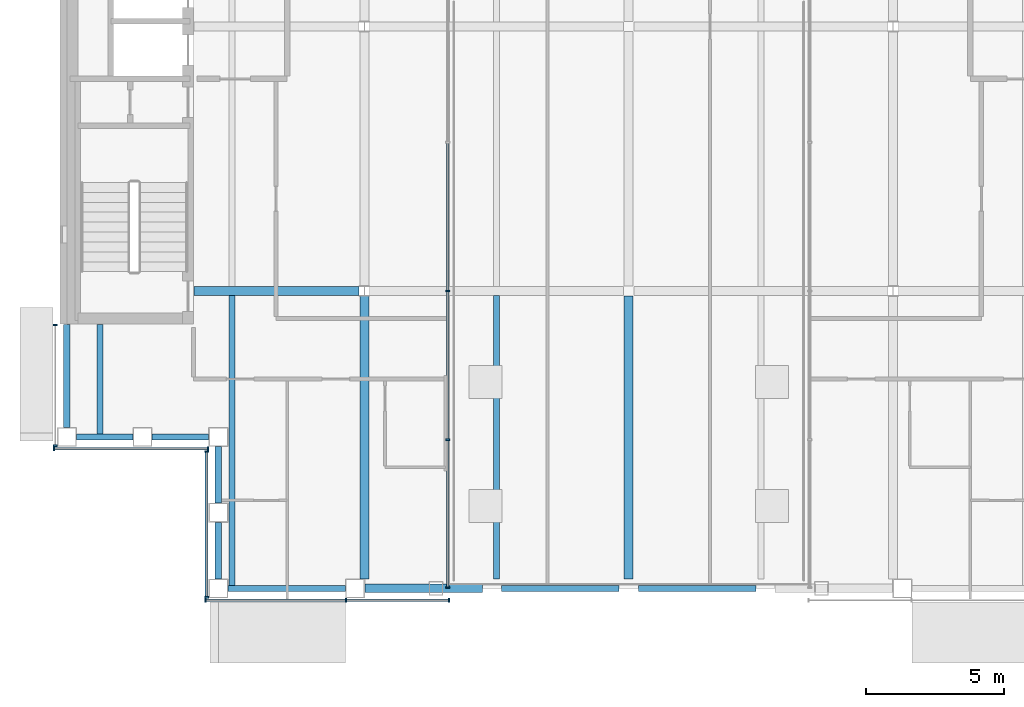
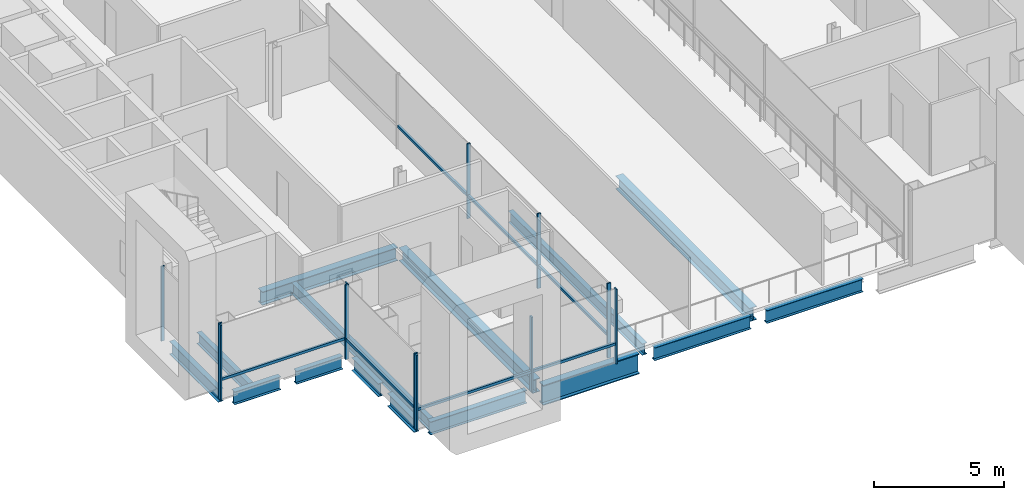
# One storey, part 3 of 17: 19 members, 15 beams, 5 elements without a shape of their own.
"""IFC4 building model written with IfcOpenShell, lengths in metres."""

from ifc_helpers import new_model, si_unit, direction, frame, origin, origin_2d, place, context, subcontext, project, spatial, rectangle, i_section, extrude, material, material_profile, profile_set, type_object, element, aggregate, save


model = new_model("IFC4")

# Units and contexts
model_context = context("Model", 3, precision=1e-05, world=origin(), true_north=direction((0.0, 1.0)))
body_context = subcontext(model_context, "Body", "Model", "MODEL_VIEW")
ifc_project = project(units=[si_unit("LENGTHUNIT", "METRE"), si_unit("AREAUNIT", "SQUARE_METRE"), si_unit("VOLUMEUNIT", "CUBIC_METRE"), si_unit("PLANEANGLEUNIT", "RADIAN"), si_unit("MASSUNIT", "GRAM", prefix="KILO")], contexts=[model_context])

# Site, building, storey
site_placement = place(None, origin())
site = spatial("IfcSite", under=ifc_project, at=site_placement, CompositionType="ELEMENT")
building_placement = place(site_placement, origin())
building = spatial("IfcBuilding", under=site, at=building_placement, Name="Cobrizo Arcos Hotel Tower", CompositionType="ELEMENT")
storey_placement = place(building_placement, frame((0.0, 0.0, 219.0)))
storey = spatial("IfcBuildingStorey", under=building, at=storey_placement, Name="L57", CompositionType="ELEMENT", Elevation=219.0)

# Curtain wall, members
ifc_material_1 = material(Name="Aluminium 6063-T6 anodised bronze", Category="aluminium")
curtain_wall_type_1 = type_object("IfcCurtainWallType", Name="CW-A guest facade", PredefinedType="NOTDEFINED", material=ifc_material_1)
curtain_wall_1_placement = place(storey_placement, origin())
curtain_wall_1 = element("IfcCurtainWall", 1, at=curtain_wall_1_placement, inside=storey, type_object=curtain_wall_type_1, Name="CW-A L57 S face", PredefinedType="NOTDEFINED")
ifc_material_profile_1 = material_profile(ifc_material_1, rectangle(XDim=0.14990234375, YDim=0.06005859375, at=origin_2d()), Name="CW-A mullion 150x60")
ifc_profile_set_1 = profile_set([ifc_material_profile_1], Name="Aluminium 6063-T6 anodised bronze")
member_type_1 = type_object("IfcMemberType", Name="CW-A mullion 150x60", PredefinedType="MULLION", material=ifc_profile_set_1)
member_1_placement = place(storey_placement, frame((-15.3701171875, -20.824951171875, 0.0), z_axis=(0.0, 0.0, 1.0), x_axis=(0.0, -1.0, 0.0)))
member_1 = element("IfcMember", 2, at=member_1_placement, type_object=member_type_1, Name="CW-A mullion 1", PredefinedType="MULLION", context=body_context, shape_type="SweptSolid", body=[
    extrude(rectangle(XDim=0.14990234375, YDim=0.06005859375, at=origin_2d()), origin(), (0.0, 0.0, 1.0), 3.5),
])
member_2_placement = place(storey_placement, frame((-10.2666015625, -20.824951171875, 0.0), z_axis=(0.0, 0.0, 1.0), x_axis=(0.0, -1.0, 0.0)))
member_2 = element("IfcMember", 3, at=member_2_placement, type_object=member_type_1, Name="CW-A mullion 2", PredefinedType="MULLION", context=body_context, shape_type="SweptSolid", body=[
    extrude(rectangle(XDim=0.14990234375, YDim=0.06005859375, at=origin_2d()), origin(), (0.0, 0.0, 1.0), 3.5),
])
member_3_placement = place(storey_placement, frame((-6.530029296875, -20.824951171875, 0.0), z_axis=(0.0, 0.0, 1.0), x_axis=(0.0, -1.0, 0.0)))
member_3 = element("IfcMember", 4, at=member_3_placement, type_object=member_type_1, Name="CW-A mullion 3", PredefinedType="MULLION", context=body_context, shape_type="SweptSolid", body=[
    extrude(rectangle(XDim=0.14990234375, YDim=0.06005859375, at=origin_2d()), origin(), (0.0, 0.0, 1.0), 3.5),
])

curtain_wall_2_placement = place(storey_placement, origin())
curtain_wall_2 = element("IfcCurtainWall", 5, at=curtain_wall_2_placement, inside=storey, type_object=curtain_wall_type_1, Name="CW-A L57 W face", PredefinedType="NOTDEFINED")
member_4_placement = place(storey_placement, frame((-20.824951171875, -10.830078125, 0.0), z_axis=(0.0, 0.0, 1.0), x_axis=(-1.0, 0.0, 0.0)))
member_4 = element("IfcMember", 6, at=member_4_placement, type_object=member_type_1, Name="CW-A mullion 1", PredefinedType="MULLION", context=body_context, shape_type="SweptSolid", body=[
    extrude(rectangle(XDim=0.14990234375, YDim=0.06005859375, at=origin_2d()), origin(), (0.0, 0.0, 1.0), 3.5),
])
member_5_placement = place(storey_placement, frame((-20.824951171875, -15.219970703125, 0.0), z_axis=(0.0, 0.0, 1.0), x_axis=(-1.0, 0.0, 0.0)))
member_5 = element("IfcMember", 7, at=member_5_placement, type_object=member_type_1, Name="CW-A mullion 2", PredefinedType="MULLION", context=body_context, shape_type="SweptSolid", body=[
    extrude(rectangle(XDim=0.14990234375, YDim=0.06005859375, at=origin_2d()), origin(), (0.0, 0.0, 1.0), 3.5),
])
aggregate(curtain_wall_2, [member_4, member_5])

curtain_wall_3_placement = place(storey_placement, origin())
curtain_wall_3 = element("IfcCurtainWall", 8, at=curtain_wall_3_placement, inside=storey, type_object=curtain_wall_type_1, Name="CW-A L57 S face", PredefinedType="NOTDEFINED")
member_6_placement = place(storey_placement, frame((-20.8701171875, -15.324951171875, 0.0), z_axis=(0.0, 0.0, 1.0), x_axis=(0.0, -1.0, 0.0)))
member_6 = element("IfcMember", 9, at=member_6_placement, type_object=member_type_1, Name="CW-A mullion 1", PredefinedType="MULLION", context=body_context, shape_type="SweptSolid", body=[
    extrude(rectangle(XDim=0.14990234375, YDim=0.06005859375, at=origin_2d()), origin(), (0.0, 0.0, 1.0), 3.5),
])
member_7_placement = place(storey_placement, frame((-15.280029296875, -15.324951171875, 0.0), z_axis=(0.0, 0.0, 1.0), x_axis=(0.0, -1.0, 0.0)))
member_7 = element("IfcMember", 10, at=member_7_placement, type_object=member_type_1, Name="CW-A mullion 2", PredefinedType="MULLION", context=body_context, shape_type="SweptSolid", body=[
    extrude(rectangle(XDim=0.14990234375, YDim=0.06005859375, at=origin_2d()), origin(), (0.0, 0.0, 1.0), 3.5),
])

curtain_wall_4_placement = place(storey_placement, origin())
curtain_wall_4 = element("IfcCurtainWall", 11, at=curtain_wall_4_placement, inside=storey, type_object=curtain_wall_type_1, Name="CW-A L57 W face", PredefinedType="NOTDEFINED")
member_8_placement = place(storey_placement, frame((-15.324951171875, -15.429931640625, 0.0), z_axis=(0.0, 0.0, 1.0), x_axis=(-1.0, 0.0, 0.0)))
member_8 = element("IfcMember", 12, at=member_8_placement, type_object=member_type_1, Name="CW-A mullion 1", PredefinedType="MULLION", context=body_context, shape_type="SweptSolid", body=[
    extrude(rectangle(XDim=0.14990234375, YDim=0.06005859375, at=origin_2d()), origin(), (0.0, 0.0, 1.0), 3.5),
])
member_9_placement = place(storey_placement, frame((-15.324951171875, -20.719970703125, 0.0), z_axis=(0.0, 0.0, 1.0), x_axis=(-1.0, 0.0, 0.0)))
member_9 = element("IfcMember", 13, at=member_9_placement, type_object=member_type_1, Name="CW-A mullion 2", PredefinedType="MULLION", context=body_context, shape_type="SweptSolid", body=[
    extrude(rectangle(XDim=0.14990234375, YDim=0.06005859375, at=origin_2d()), origin(), (0.0, 0.0, 1.0), 3.5),
])

# Member
ifc_material_profile_2 = material_profile(ifc_material_1, rectangle(XDim=0.10009765625, YDim=0.1201171875, at=origin_2d()), Name="CW-A transom 120x100")
ifc_profile_set_2 = profile_set([ifc_material_profile_2], Name="Aluminium 6063-T6 anodised bronze")
member_type_2 = type_object("IfcMemberType", Name="CW-A transom 120x100", PredefinedType="USERDEFINED", material=ifc_profile_set_2)
member_10_placement = place(storey_placement, frame((-15.340087890625, -20.824951171875, 0.929931640625), z_axis=(1.0, 0.0, 0.0), x_axis=(0.0, 1.0, 0.0)))
member_10 = element("IfcMember", 14, at=member_10_placement, type_object=member_type_2, Name="CW-A transom 1888", ObjectType="TRANSOM", PredefinedType="USERDEFINED", context=body_context, shape_type="SweptSolid", body=[
    extrude(rectangle(XDim=0.10009765625, YDim=0.1201171875, at=origin_2d()), origin(), (0.0, 0.0, 1.0), 5.04345703125),
])

member_11_placement = place(storey_placement, frame((-10.236572265625, -20.824951171875, 0.929931640625), z_axis=(1.0, 0.0, 0.0), x_axis=(0.0, 1.0, 0.0)))
member_11 = element("IfcMember", 15, at=member_11_placement, type_object=member_type_2, Name="CW-A transom 1889", ObjectType="TRANSOM", PredefinedType="USERDEFINED", context=body_context, shape_type="SweptSolid", body=[
    extrude(rectangle(XDim=0.10009765625, YDim=0.1201171875, at=origin_2d()), origin(), (0.0, 0.0, 1.0), 3.676513671875),
])

aggregate(curtain_wall_1, [member_1, member_2, member_3, member_10, member_11])

member_12_placement = place(storey_placement, frame((-20.840087890625, -15.324951171875, 0.929931640625), z_axis=(1.0, 0.0, 0.0), x_axis=(0.0, 1.0, 0.0)))
member_12 = element("IfcMember", 16, at=member_12_placement, type_object=member_type_2, Name="CW-A transom 1906", ObjectType="TRANSOM", PredefinedType="USERDEFINED", context=body_context, shape_type="SweptSolid", body=[
    extrude(rectangle(XDim=0.10009765625, YDim=0.1201171875, at=origin_2d()), origin(), (0.0, 0.0, 1.0), 5.530029296875),
])

aggregate(curtain_wall_3, [member_6, member_7, member_12])

member_13_placement = place(storey_placement, frame((-15.324951171875, -15.4599609375, 0.929931640625), z_axis=(0.0, -1.0, 0.0), x_axis=(1.0, 0.0, 0.0)))
member_13 = element("IfcMember", 17, at=member_13_placement, type_object=member_type_2, Name="CW-A transom 1907", ObjectType="TRANSOM", PredefinedType="USERDEFINED", context=body_context, shape_type="SweptSolid", body=[
    extrude(rectangle(XDim=0.10009765625, YDim=0.1201171875, at=origin_2d()), origin(), (0.0, 0.0, 1.0), 5.22998046875),
])

aggregate(curtain_wall_4, [member_8, member_9, member_13])

# Curtain wall, members
curtain_wall_type_2 = type_object("IfcCurtainWallType", Name="CW-F void screen", PredefinedType="NOTDEFINED", material=ifc_material_1)
curtain_wall_5_placement = place(storey_placement, origin())
curtain_wall_5 = element("IfcCurtainWall", 18, at=curtain_wall_5_placement, inside=storey, type_object=curtain_wall_type_2, Name="CW-F L57 void screen C", PredefinedType="NOTDEFINED")
ifc_material_profile_3 = material_profile(ifc_material_1, rectangle(XDim=0.14990234375, YDim=0.06005859375, at=origin_2d()), Name="CW-F mullion 150x60")
ifc_profile_set_3 = profile_set([ifc_material_profile_3], Name="Aluminium 6063-T6 anodised bronze")
member_type_3 = type_object("IfcMemberType", Name="CW-F mullion 150x60", PredefinedType="MULLION", material=ifc_profile_set_3)
member_14_placement = place(storey_placement, frame((-6.574951171875, -9.60009765625, 0.0), z_axis=(0.0, 0.0, 1.0), x_axis=(-1.0, 0.0, 0.0)))
member_14 = element("IfcMember", 19, at=member_14_placement, type_object=member_type_3, Name="CW-F mullion 3", PredefinedType="MULLION", context=body_context, shape_type="SweptSolid", body=[
    extrude(rectangle(XDim=0.14990234375, YDim=0.06005859375, at=origin_2d()), origin(), (0.0, 0.0, 1.0), 3.5),
])
member_15_placement = place(storey_placement, frame((-6.574951171875, -15.0, 0.0), z_axis=(0.0, 0.0, 1.0), x_axis=(-1.0, 0.0, 0.0)))
member_15 = element("IfcMember", 20, at=member_15_placement, type_object=member_type_3, Name="CW-F mullion 4", PredefinedType="MULLION", context=body_context, shape_type="SweptSolid", body=[
    extrude(rectangle(XDim=0.14990234375, YDim=0.06005859375, at=origin_2d()), origin(), (0.0, 0.0, 1.0), 3.5),
])
member_16_placement = place(storey_placement, frame((-6.574951171875, -20.3701171875, 0.0), z_axis=(0.0, 0.0, 1.0), x_axis=(-1.0, 0.0, 0.0)))
member_16 = element("IfcMember", 21, at=member_16_placement, type_object=member_type_3, Name="CW-F mullion 5", PredefinedType="MULLION", context=body_context, shape_type="SweptSolid", body=[
    extrude(rectangle(XDim=0.14990234375, YDim=0.06005859375, at=origin_2d()), origin(), (0.0, 0.0, 1.0), 3.5),
])
ifc_material_profile_4 = material_profile(ifc_material_1, rectangle(XDim=0.10009765625, YDim=0.1201171875, at=origin_2d()), Name="CW-F transom 120x100")
ifc_profile_set_4 = profile_set([ifc_material_profile_4], Name="Aluminium 6063-T6 anodised bronze")
member_type_4 = type_object("IfcMemberType", Name="CW-F transom 120x100", PredefinedType="USERDEFINED", material=ifc_profile_set_4)
member_17_placement = place(storey_placement, frame((-6.574951171875, -4.22998046875, 1.050048828125), z_axis=(0.0, -1.0, 0.0), x_axis=(1.0, 0.0, 0.0)))
member_17 = element("IfcMember", 22, at=member_17_placement, type_object=member_type_4, Name="CW-F transom 2697", ObjectType="TRANSOM", PredefinedType="USERDEFINED", context=body_context, shape_type="SweptSolid", body=[
    extrude(rectangle(XDim=0.10009765625, YDim=0.1201171875, at=origin_2d()), origin(), (0.0, 0.0, 1.0), 5.340087890625),
])
member_18_placement = place(storey_placement, frame((-6.574951171875, -9.6298828125, 1.050048828125), z_axis=(0.0, -1.0, 0.0), x_axis=(1.0, 0.0, 0.0)))
member_18 = element("IfcMember", 23, at=member_18_placement, type_object=member_type_4, Name="CW-F transom 2698", ObjectType="TRANSOM", PredefinedType="USERDEFINED", context=body_context, shape_type="SweptSolid", body=[
    extrude(rectangle(XDim=0.10009765625, YDim=0.1201171875, at=origin_2d()), origin(), (0.0, 0.0, 1.0), 5.340087890625),
])
member_19_placement = place(storey_placement, frame((-6.574951171875, -15.030029296875, 1.050048828125), z_axis=(0.0, -1.0, 0.0), x_axis=(1.0, 0.0, 0.0)))
member_19 = element("IfcMember", 24, at=member_19_placement, type_object=member_type_4, Name="CW-F transom 2699", ObjectType="TRANSOM", PredefinedType="USERDEFINED", context=body_context, shape_type="SweptSolid", body=[
    extrude(rectangle(XDim=0.10009765625, YDim=0.1201171875, at=origin_2d()), origin(), (0.0, 0.0, 1.0), 5.31005859375),
])
aggregate(curtain_wall_5, [member_14, member_15, member_16, member_17, member_18, member_19])

# Beams
ifc_material_2 = material(Name="Steel ASTM A992 Grade 50", Category="steel")
ifc_material_profile_5 = material_profile(ifc_material_2, i_section(OverallWidth=0.209228515625, OverallDepth=0.533447265625, WebThickness=0.01025390625, FlangeThickness=0.015625, at=origin_2d()), Name="W21X62")
ifc_profile_set_5 = profile_set([ifc_material_profile_5], Name="Steel ASTM A992 Grade 50")
beam_type_1 = type_object("IfcBeamType", Name="W21X62 joist", PredefinedType="JOIST", material=ifc_profile_set_5)
beam_1_placement = place(storey_placement, frame((-19.199951171875, -14.81005859375, -0.416748046875), z_axis=(0.0, 1.0, 0.0), x_axis=(-1.0, 0.0, 0.0)))
element("IfcBeam", 25, at=beam_1_placement, inside=storey, type_object=beam_type_1, Name="Floor joist J1, L57, no. 001", PredefinedType="JOIST", context=body_context, shape_type="SweptSolid", body=[
    extrude(i_section(OverallWidth=0.209228515625, OverallDepth=0.533447265625, WebThickness=0.01025390625, FlangeThickness=0.015625, at=origin_2d()), origin(), (0.0, 0.0, 1.0), 4.0),
])
beam_2_placement = place(storey_placement, frame((-14.39990234375, -20.31005859375, -0.416748046875), z_axis=(0.0, 1.0, 0.0), x_axis=(-1.0, 0.0, 0.0)))
element("IfcBeam", 26, at=beam_2_placement, inside=storey, type_object=beam_type_1, Name="Floor joist J1, L57, no. 003", PredefinedType="JOIST", context=body_context, shape_type="SweptSolid", body=[
    extrude(i_section(OverallWidth=0.209228515625, OverallDepth=0.533447265625, WebThickness=0.01025390625, FlangeThickness=0.015625, at=origin_2d()), origin(), (0.0, 0.0, 1.0), 10.546142578125),
])
beam_3_placement = place(storey_placement, frame((-4.800048828125, -20.050048828125, -0.416748046875), z_axis=(0.0, 1.0, 0.0), x_axis=(-1.0, 0.0, 0.0)))
element("IfcBeam", 27, at=beam_3_placement, inside=storey, type_object=beam_type_1, Name="Floor joist J1, L57, no. 007", PredefinedType="JOIST", context=body_context, shape_type="SweptSolid", body=[
    extrude(i_section(OverallWidth=0.209228515625, OverallDepth=0.533447265625, WebThickness=0.01025390625, FlangeThickness=0.015625, at=origin_2d()), origin(), (0.0, 0.0, 1.0), 10.2861328125),
])
ifc_material_profile_6 = material_profile(ifc_material_2, i_section(OverallWidth=0.32763671875, OverallDepth=0.622314453125, WebThickness=0.015380859375, FlangeThickness=0.0244140625, at=origin_2d()), Name="W24X131")
ifc_profile_set_6 = profile_set([ifc_material_profile_6], Name="Steel ASTM A992 Grade 50")
beam_type_2 = type_object("IfcBeamType", Name="W24X131 girder", PredefinedType="BEAM", material=ifc_profile_set_6)
beam_4_placement = place(storey_placement, frame((-15.7900390625, -9.60009765625, -0.461181640625), z_axis=(1.0, 0.0, 0.0), x_axis=(0.0, 1.0, 0.0)))
element("IfcBeam", 28, at=beam_4_placement, inside=storey, type_object=beam_type_2, Name="Floor girder G1, L57, no. 001", PredefinedType="BEAM", context=body_context, shape_type="SweptSolid", body=[
    extrude(i_section(OverallWidth=0.32763671875, OverallDepth=0.622314453125, WebThickness=0.015380859375, FlangeThickness=0.0244140625, at=origin_2d()), origin(), (0.0, 0.0, 1.0), 6.00341796875),
])
for number, where, z_axis, x_axis, name in (
    (29, (-9.60009765625, -20.050048828125, -0.461181640625), (0.0, 1.0, 0.0), (-1.0, 0.0, 0.0), "Floor girder G1, L57, no. 013"),
    (30, (0.0, -20.050048828125, -0.461181640625), (0.0, 1.0, 0.0), (-1.0, 0.0, 0.0), "Floor girder G1, L57, no. 017"),
):
    element("IfcBeam", number, at=place(storey_placement, frame(where, z_axis=z_axis, x_axis=x_axis)), inside=storey, type_object=beam_type_2, Name=name, PredefinedType="BEAM", context=body_context, shape_type="SweptSolid", body=[
        extrude(i_section(OverallWidth=0.32763671875, OverallDepth=0.622314453125, WebThickness=0.015380859375, FlangeThickness=0.0244140625, at=origin_2d()), origin(), (0.0, 0.0, 1.0), 10.263427734375),
    ])
ifc_material_profile_7 = material_profile(ifc_material_2, i_section(OverallWidth=0.228271484375, OverallDepth=0.607177734375, WebThickness=0.01123046875, FlangeThickness=0.017333984375, at=origin_2d()), Name="W24X76")
ifc_profile_set_7 = profile_set([ifc_material_profile_7], Name="Steel ASTM A992 Grade 50")
beam_type_3 = type_object("IfcBeamType", Name="W24X76 spandrel", PredefinedType="SPANDREL", material=ifc_profile_set_7)
beam_5_placement = place(storey_placement, frame((-14.550048828125, -20.39990234375, -0.45361328125), z_axis=(1.0, 0.0, 0.0), x_axis=(0.0, 1.0, 0.0)))
element("IfcBeam", 31, at=beam_5_placement, inside=storey, type_object=beam_type_3, Name="Spandrel beam W24X76, L57, no. 001", PredefinedType="SPANDREL", context=body_context, shape_type="SweptSolid", body=[
    extrude(i_section(OverallWidth=0.228271484375, OverallDepth=0.607177734375, WebThickness=0.01123046875, FlangeThickness=0.017333984375, at=origin_2d()), origin(), (0.0, 0.0, 1.0), 4.26708984375),
])
for number, where, z_axis, x_axis, name in (
    (32, (-4.616943359375, -20.39990234375, -0.45361328125), (1.0, 0.0, 0.0), (0.0, 1.0, 0.0), "Spandrel beam W24X76, L57, no. 002"),
    (33, (0.35009765625, -20.39990234375, -0.45361328125), (1.0, 0.0, 0.0), (0.0, 1.0, 0.0), "Spandrel beam W24X76, L57, no. 003"),
):
    element("IfcBeam", number, at=place(storey_placement, frame(where, z_axis=z_axis, x_axis=x_axis)), inside=storey, type_object=beam_type_3, Name=name, PredefinedType="SPANDREL", context=body_context, shape_type="SweptSolid", body=[
        extrude(i_section(OverallWidth=0.228271484375, OverallDepth=0.607177734375, WebThickness=0.01123046875, FlangeThickness=0.017333984375, at=origin_2d()), origin(), (0.0, 0.0, 1.0), 4.266845703125),
    ])
beam_6_placement = place(storey_placement, frame((-20.39990234375, -10.81005859375, -0.45361328125), z_axis=(0.0, -1.0, 0.0), x_axis=(1.0, 0.0, 0.0)))
element("IfcBeam", 34, at=beam_6_placement, inside=storey, type_object=beam_type_3, Name="Spandrel beam W24X76, L57, no. 024", PredefinedType="SPANDREL", context=body_context, shape_type="SweptSolid", body=[
    extrude(i_section(OverallWidth=0.228271484375, OverallDepth=0.607177734375, WebThickness=0.01123046875, FlangeThickness=0.017333984375, at=origin_2d()), origin(), (0.0, 0.0, 1.0), 3.739990234375),
])
for number, where, z_axis, x_axis, name in (
    (35, (-20.050048828125, -14.89990234375, -0.45361328125), (1.0, 0.0, 0.0), (0.0, 1.0, 0.0), "Spandrel beam W24X76, L57, no. 025"),
    (36, (-17.300048828125, -14.89990234375, -0.45361328125), (1.0, 0.0, 0.0), (0.0, 1.0, 0.0), "Spandrel beam W24X76, L57, no. 026"),
    (37, (-14.89990234375, -15.25, -0.45361328125), (0.0, -1.0, 0.0), (1.0, 0.0, 0.0), "Spandrel beam W24X76, L57, no. 027"),
    (38, (-14.89990234375, -18.0, -0.45361328125), (0.0, -1.0, 0.0), (1.0, 0.0, 0.0), "Spandrel beam W24X76, L57, no. 028"),
):
    element("IfcBeam", number, at=place(storey_placement, frame(where, z_axis=z_axis, x_axis=x_axis)), inside=storey, type_object=beam_type_3, Name=name, PredefinedType="SPANDREL", context=body_context, shape_type="SweptSolid", body=[
        extrude(i_section(OverallWidth=0.228271484375, OverallDepth=0.607177734375, WebThickness=0.01123046875, FlangeThickness=0.017333984375, at=origin_2d()), origin(), (0.0, 0.0, 1.0), 2.050048828125),
    ])
ifc_material_profile_8 = material_profile(ifc_material_2, i_section(OverallWidth=0.307373046875, OverallDepth=0.9423828125, WebThickness=0.022216796875, FlangeThickness=0.039794921875, at=origin_2d()), Name="W36X232")
ifc_profile_set_8 = profile_set([ifc_material_profile_8], Name="Steel ASTM A992 Grade 50")
beam_type_4 = type_object("IfcBeamType", Name="W36X232 spandrel transfer", PredefinedType="BEAM", material=ifc_profile_set_8)
beam_7_placement = place(storey_placement, frame((-9.5830078125, -20.39990234375, -0.62109375), z_axis=(1.0, 0.0, 0.0), x_axis=(0.0, 1.0, 0.0)))
element("IfcBeam", 39, at=beam_7_placement, inside=storey, type_object=beam_type_4, Name="Spandrel transfer beam ST1, L57, no. 001", PredefinedType="BEAM", context=body_context, shape_type="SweptSolid", body=[
    extrude(i_section(OverallWidth=0.307373046875, OverallDepth=0.9423828125, WebThickness=0.022216796875, FlangeThickness=0.039794921875, at=origin_2d()), origin(), (0.0, 0.0, 1.0), 4.26611328125),
])

save(model, "model.ifc")
